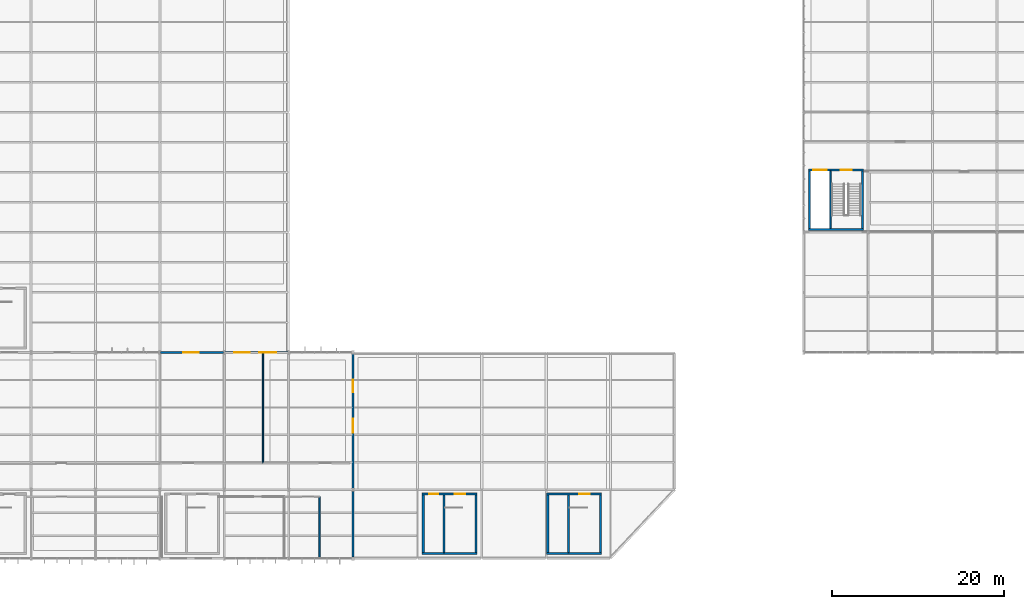
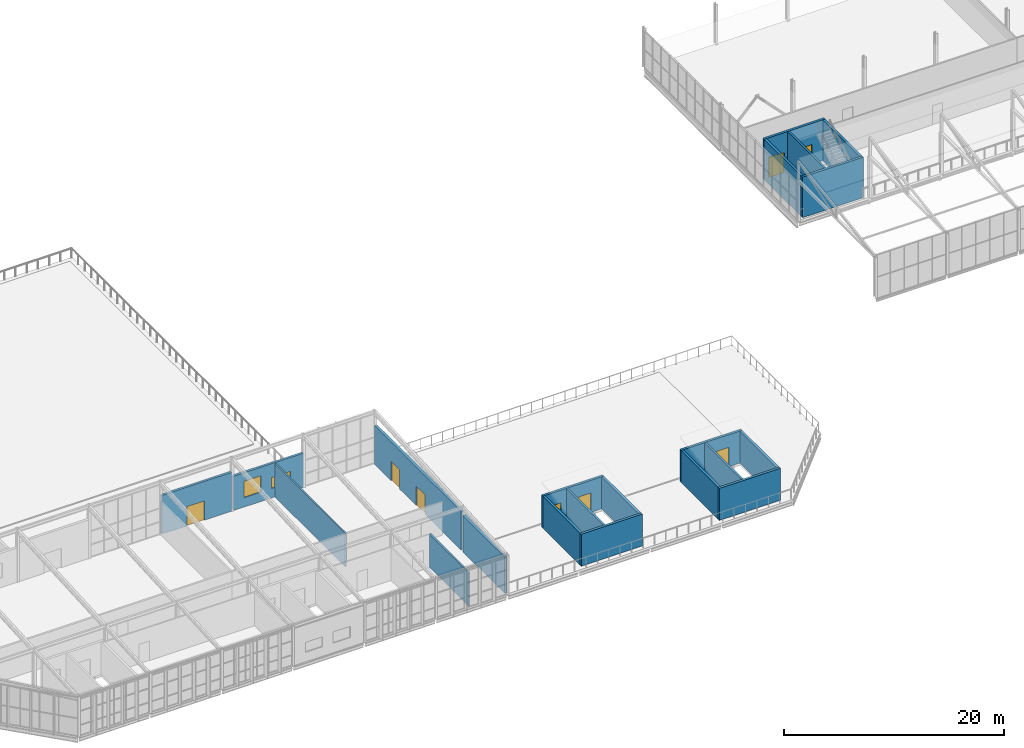
# One storey, part 96 of 104: 21 walls, 8 doors, 2 windows, 10 openings.
"""IFC4 building model written with IfcOpenShell, lengths in metres."""

from ifc_helpers import new_model, si_unit, direction, frame, frame_2d, origin, place, context, subcontext, project, spatial, rectangle, extrude, material, layer, layer_set, type_object, element, fill, save


model = new_model("IFC4")

# Units and contexts
model_context = context("Model", 3, precision=1e-05, world=origin(), true_north=direction((0.0, 1.0)))
body_context = subcontext(model_context, "Body", "Model", "MODEL_VIEW")
ifc_project = project(units=[si_unit("LENGTHUNIT", "METRE"), si_unit("AREAUNIT", "SQUARE_METRE"), si_unit("VOLUMEUNIT", "CUBIC_METRE"), si_unit("PLANEANGLEUNIT", "RADIAN"), si_unit("MASSUNIT", "GRAM", prefix="KILO")], contexts=[model_context])

# Site, building, storey
site_placement = place(None, origin())
site = spatial("IfcSite", under=ifc_project, at=site_placement, CompositionType="ELEMENT")
building_placement = place(site_placement, origin())
building = spatial("IfcBuilding", under=site, at=building_placement, Name="Solvenia Promenade Tram Depot", CompositionType="ELEMENT")
storey_placement = place(building_placement, frame((0.0, 0.0, 9.0)))
storey = spatial("IfcBuildingStorey", under=building, at=storey_placement, Name="L02", CompositionType="ELEMENT", Elevation=9.0)

# Wall
ifc_material_1 = material(Name="Concrete C28/35", Category="concrete")
ifc_layer_1 = layer(ifc_material_1, 0.25, Name="Concrete C28/35", Category="concrete")
ifc_layer_set_1 = layer_set([ifc_layer_1], Name="Concrete C28/35")
wall_type_1 = type_object("IfcWallType", Name="Wall-Core-250", PredefinedType="SHEAR", material=ifc_layer_set_1)
wall_1_placement = place(storey_placement, frame((60.550048828125, 0.574951171875, 0.0), z_axis=(0.0, 0.0, 1.0), x_axis=(1.0, 0.0, 0.0)))
element("IfcWall", 1, at=wall_1_placement, inside=storey, type_object=wall_type_1, Name="Core C3 Shear Wall WC-C3-L02-S", PredefinedType="SHEAR", context=body_context, shape_type="SweptSolid", body=[
    extrude(rectangle(XDim=6.39990234375, YDim=0.25, at=frame_2d((3.199951171875, 0.0))), origin(), (0.0, 0.0, 1.0), 3.550048828125),
])

# Wall, openings, doors
wall_2_placement = place(storey_placement, frame((60.550048828125, 7.52490234375, 0.0), z_axis=(0.0, 0.0, 1.0), x_axis=(1.0, 0.0, 0.0)))
wall_2 = element("IfcWall", 2, at=wall_2_placement, inside=storey, type_object=wall_type_1, Name="Core C3 Shear Wall WC-C3-L02-N", PredefinedType="SHEAR", context=body_context, shape_type="SweptSolid", body=[
    extrude(rectangle(XDim=6.39990234375, YDim=0.25, at=frame_2d((3.199951171875, 0.0))), origin(), (0.0, 0.0, 1.0), 3.550048828125),
])
opening_1_placement = place(wall_2_placement, frame((0.800048828125, 0.0, 0.0)))
opening_1 = element("IfcOpeningElement", 3, at=opening_1_placement, cuts=wall_2, Name="Opening LD-03", PredefinedType="OPENING", context=body_context, shape_type="SweptSolid", body=[
    extrude(rectangle(XDim=1.10009765625, YDim=2.14990234375, at=frame_2d((0.550048828125, 1.074951171875))), frame((0.0, 0.135009765625, 0.0), z_axis=(0.0, -1.0, 0.0), x_axis=(1.0, 0.0, 0.0)), (0.0, 0.0, 1.0), 0.27001953125),
])
opening_2_placement = place(wall_2_placement, frame((3.77490234375, 0.0, 0.0)))
opening_2 = element("IfcOpeningElement", 4, at=opening_2_placement, cuts=wall_2, Name="Opening D-FD90", PredefinedType="OPENING", context=body_context, shape_type="SweptSolid", body=[
    extrude(rectangle(XDim=1.25, YDim=2.14990234375, at=frame_2d((0.625, 1.074951171875))), frame((0.0, 0.135009765625, 0.0), z_axis=(0.0, -1.0, 0.0), x_axis=(1.0, 0.0, 0.0)), (0.0, 0.0, 1.0), 0.27001953125),
])
ifc_material_2 = material(Name="Galvanized painted sheet steel", Category="steel")
door_type_1 = type_object("IfcDoorType", Name="Door-Lift-Pass-1100", OperationType="DOUBLE_DOOR_SLIDING", PredefinedType="DOOR", material=ifc_material_2)
door_1_placement = place(opening_1_placement, origin())
door_1 = element("IfcDoor", 5, at=door_1_placement, inside=storey, type_object=door_type_1, Name="Lift Landing Door LF-03 L02", OperationType="DOUBLE_DOOR_SLIDING", OverallHeight=2.14990234375, OverallWidth=1.10009765625, PredefinedType="DOOR", context=body_context, shape_type="SweptSolid", body=[
    extrude(rectangle(XDim=1.10009765625, YDim=2.14990234375, at=frame_2d((0.550048828125, 1.074951171875))), frame((0.0, 0.02490234375, 0.0), z_axis=(0.0, -1.0, 0.0), x_axis=(1.0, 0.0, 0.0)), (0.0, 0.0, 1.0), 0.050048828125),
])
fill(opening_1, door_1)
door_type_2 = type_object("IfcDoorType", Name="Door-Stair-FD90", OperationType="NOTDEFINED", PredefinedType="DOOR", material=ifc_material_2)
door_2_placement = place(opening_2_placement, origin())
door_2 = element("IfcDoor", 6, at=door_2_placement, inside=storey, type_object=door_type_2, Name="Exit Stair Door C3 L02", OperationType="SINGLE_SWING_LEFT", OverallHeight=2.14990234375, OverallWidth=1.25, PredefinedType="DOOR", context=body_context, shape_type="SweptSolid", body=[
    extrude(rectangle(XDim=1.25, YDim=2.14990234375, at=frame_2d((0.625, 1.074951171875))), frame((0.0, 0.02490234375, 0.0), z_axis=(0.0, -1.0, 0.0), x_axis=(1.0, 0.0, 0.0)), (0.0, 0.0, 1.0), 0.050048828125),
])
fill(opening_2, door_2)

# Walls
for number, where, z_axis, x_axis, name in (
    (7, (60.675048828125, 0.699951171875, 0.0), (0.0, 0.0, 1.0), (0.0, 1.0, 0.0), "Core C3 Shear Wall WC-C3-L02-W"),
    (8, (66.824951171875, 0.699951171875, 0.0), (0.0, 0.0, 1.0), (0.0, 1.0, 0.0), "Core C3 Shear Wall WC-C3-L02-E"),
):
    element("IfcWall", number, at=place(storey_placement, frame(where, z_axis=z_axis, x_axis=x_axis)), inside=storey, type_object=wall_type_1, Name=name, PredefinedType="SHEAR", context=body_context, shape_type="SweptSolid", body=[
        extrude(rectangle(XDim=6.699951171875, YDim=0.25, at=frame_2d((3.35009765625, 0.0))), origin(), (0.0, 0.0, 1.0), 3.550048828125),
    ])
wall_3_placement = place(storey_placement, frame((75.050048828125, 0.574951171875, 0.0), z_axis=(0.0, 0.0, 1.0), x_axis=(1.0, 0.0, 0.0)))
element("IfcWall", 9, at=wall_3_placement, inside=storey, type_object=wall_type_1, Name="Core C4 Shear Wall WC-C4-L02-S", PredefinedType="SHEAR", context=body_context, shape_type="SweptSolid", body=[
    extrude(rectangle(XDim=6.39990234375, YDim=0.25, at=frame_2d((3.199951171875, 0.0))), origin(), (0.0, 0.0, 1.0), 3.550048828125),
])

# Wall, opening, door
wall_4_placement = place(storey_placement, frame((75.050048828125, 7.52490234375, 0.0), z_axis=(0.0, 0.0, 1.0), x_axis=(1.0, 0.0, 0.0)))
wall_4 = element("IfcWall", 10, at=wall_4_placement, inside=storey, type_object=wall_type_1, Name="Core C4 Shear Wall WC-C4-L02-N", PredefinedType="SHEAR", context=body_context, shape_type="SweptSolid", body=[
    extrude(rectangle(XDim=6.39990234375, YDim=0.25, at=frame_2d((3.199951171875, 0.0))), origin(), (0.0, 0.0, 1.0), 3.550048828125),
])
opening_3_placement = place(wall_4_placement, frame((3.77490234375, 0.0, 0.0)))
opening_3 = element("IfcOpeningElement", 11, at=opening_3_placement, cuts=wall_4, Name="Opening D-FD90", PredefinedType="OPENING", context=body_context, shape_type="SweptSolid", body=[
    extrude(rectangle(XDim=1.25, YDim=2.14990234375, at=frame_2d((0.625, 1.074951171875))), frame((0.0, 0.135009765625, 0.0), z_axis=(0.0, -1.0, 0.0), x_axis=(1.0, 0.0, 0.0)), (0.0, 0.0, 1.0), 0.27001953125),
])
door_3_placement = place(opening_3_placement, origin())
door_3 = element("IfcDoor", 12, at=door_3_placement, inside=storey, type_object=door_type_2, Name="Exit Stair Door C4 L02", OperationType="SINGLE_SWING_RIGHT", OverallHeight=2.14990234375, OverallWidth=1.25, PredefinedType="DOOR", context=body_context, shape_type="SweptSolid", body=[
    extrude(rectangle(XDim=1.25, YDim=2.14990234375, at=frame_2d((0.625, 1.074951171875))), frame((0.0, 0.02490234375, 0.0), z_axis=(0.0, -1.0, 0.0), x_axis=(1.0, 0.0, 0.0)), (0.0, 0.0, 1.0), 0.050048828125),
])
fill(opening_3, door_3)

# Walls
for number, where, z_axis, x_axis, name in (
    (13, (75.175048828125, 0.699951171875, 0.0), (0.0, 0.0, 1.0), (0.0, 1.0, 0.0), "Core C4 Shear Wall WC-C4-L02-W"),
    (14, (81.324951171875, 0.699951171875, 0.0), (0.0, 0.0, 1.0), (0.0, 1.0, 0.0), "Core C4 Shear Wall WC-C4-L02-E"),
):
    element("IfcWall", number, at=place(storey_placement, frame(where, z_axis=z_axis, x_axis=x_axis)), inside=storey, type_object=wall_type_1, Name=name, PredefinedType="SHEAR", context=body_context, shape_type="SweptSolid", body=[
        extrude(rectangle(XDim=6.699951171875, YDim=0.25, at=frame_2d((3.35009765625, 0.0))), origin(), (0.0, 0.0, 1.0), 3.550048828125),
    ])
wall_5_placement = place(storey_placement, frame((105.550048828125, 38.324951171875, 0.0), z_axis=(0.0, 0.0, 1.0), x_axis=(1.0, 0.0, 0.0)))
element("IfcWall", 15, at=wall_5_placement, inside=storey, type_object=wall_type_1, Name="Core C5 Shear Wall WC-C5-L02-S", PredefinedType="SHEAR", context=body_context, shape_type="SweptSolid", body=[
    extrude(rectangle(XDim=6.39990234375, YDim=0.25, at=frame_2d((3.199951171875, 0.0))), origin(), (0.0, 0.0, 1.0), 4.5),
])

# Wall, openings, doors
wall_6_placement = place(storey_placement, frame((105.550048828125, 45.27490234375, 0.0), z_axis=(0.0, 0.0, 1.0), x_axis=(1.0, 0.0, 0.0)))
wall_6 = element("IfcWall", 16, at=wall_6_placement, inside=storey, type_object=wall_type_1, Name="Core C5 Shear Wall WC-C5-L02-N", PredefinedType="SHEAR", context=body_context, shape_type="SweptSolid", body=[
    extrude(rectangle(XDim=6.39990234375, YDim=0.25, at=frame_2d((3.199951171875, 0.0))), origin(), (0.0, 0.0, 1.0), 4.5),
])
opening_4_placement = place(wall_6_placement, frame((0.550048828125, 0.0, 0.0)))
opening_4 = element("IfcOpeningElement", 17, at=opening_4_placement, cuts=wall_6, Name="Opening LD-05", PredefinedType="OPENING", context=body_context, shape_type="SweptSolid", body=[
    extrude(rectangle(XDim=1.60009765625, YDim=2.25, at=frame_2d((0.800048828125, 1.125))), frame((0.0, 0.135009765625, 0.0), z_axis=(0.0, -1.0, 0.0), x_axis=(1.0, 0.0, 0.0)), (0.0, 0.0, 1.0), 0.27001953125),
])
opening_5_placement = place(wall_6_placement, frame((3.77490234375, 0.0, 0.0)))
opening_5 = element("IfcOpeningElement", 18, at=opening_5_placement, cuts=wall_6, Name="Opening D-FD90", PredefinedType="OPENING", context=body_context, shape_type="SweptSolid", body=[
    extrude(rectangle(XDim=1.25, YDim=2.14990234375, at=frame_2d((0.625, 1.074951171875))), frame((0.0, 0.135009765625, 0.0), z_axis=(0.0, -1.0, 0.0), x_axis=(1.0, 0.0, 0.0)), (0.0, 0.0, 1.0), 0.27001953125),
])
door_type_3 = type_object("IfcDoorType", Name="Door-Lift-Goods-1600", OperationType="DOUBLE_DOOR_SLIDING", PredefinedType="DOOR", material=ifc_material_2)
door_4_placement = place(opening_4_placement, origin())
door_4 = element("IfcDoor", 19, at=door_4_placement, inside=storey, type_object=door_type_3, Name="Lift Landing Door LG-01 L02", OperationType="DOUBLE_DOOR_SLIDING", OverallHeight=2.25, OverallWidth=1.60009765625, PredefinedType="DOOR", context=body_context, shape_type="SweptSolid", body=[
    extrude(rectangle(XDim=1.60009765625, YDim=2.25, at=frame_2d((0.800048828125, 1.125))), frame((0.0, 0.02490234375, 0.0), z_axis=(0.0, -1.0, 0.0), x_axis=(1.0, 0.0, 0.0)), (0.0, 0.0, 1.0), 0.050048828125),
])
fill(opening_4, door_4)
door_5_placement = place(opening_5_placement, frame((1.25, 0.0, 0.0), z_axis=(0.0, 0.0, 1.0), x_axis=(-1.0, 0.0, 0.0)))
door_5 = element("IfcDoor", 20, at=door_5_placement, inside=storey, type_object=door_type_2, Name="Exit Stair Door C5 L02", OperationType="SINGLE_SWING_LEFT", OverallHeight=2.14990234375, OverallWidth=1.25, PredefinedType="DOOR", context=body_context, shape_type="SweptSolid", body=[
    extrude(rectangle(XDim=1.25, YDim=2.14990234375, at=frame_2d((0.625, 1.074951171875))), frame((0.0, 0.02490234375, 0.0), z_axis=(0.0, -1.0, 0.0), x_axis=(1.0, 0.0, 0.0)), (0.0, 0.0, 1.0), 0.050048828125),
])
fill(opening_5, door_5)

# Walls
for number, where, z_axis, x_axis, name in (
    (21, (105.675048828125, 38.449951171875, 0.0), (0.0, 0.0, 1.0), (0.0, 1.0, 0.0), "Core C5 Shear Wall WC-C5-L02-W"),
    (22, (111.824951171875, 38.449951171875, 0.0), (0.0, 0.0, 1.0), (0.0, 1.0, 0.0), "Core C5 Shear Wall WC-C5-L02-E"),
):
    element("IfcWall", number, at=place(storey_placement, frame(where, z_axis=z_axis, x_axis=x_axis)), inside=storey, type_object=wall_type_1, Name=name, PredefinedType="SHEAR", context=body_context, shape_type="SweptSolid", body=[
        extrude(rectangle(XDim=6.699951171875, YDim=0.25, at=frame_2d((3.35009765625, 0.0))), origin(), (0.0, 0.0, 1.0), 4.5),
    ])
ifc_material_3 = material(Name="Concrete blockwork masonry", Category="masonry")
ifc_layer_2 = layer(ifc_material_3, 0.14501953125, Name="Concrete blockwork masonry", Category="masonry")
ifc_layer_set_2 = layer_set([ifc_layer_2], Name="Concrete blockwork masonry")
wall_type_2 = type_object("IfcWallType", Name="Wall-Masonry-145", PredefinedType="PARTITIONING", material=ifc_layer_set_2)
wall_7_placement = place(storey_placement, frame((42.0, 11.10009765625, 0.0), z_axis=(0.0, 0.0, 1.0), x_axis=(0.0, 1.0, 0.0)))
element("IfcWall", 23, at=wall_7_placement, inside=storey, type_object=wall_type_2, Name="Commercial Kitchen Dividing Wall WP-L02-113", PredefinedType="PARTITIONING", context=body_context, shape_type="SweptSolid", body=[
    extrude(rectangle(XDim=12.81982421875, YDim=0.14501953125, at=frame_2d((6.409912109375, 0.0))), origin(), (0.0, 0.0, 1.0), 3.699951171875),
])
ifc_layer_3 = layer(ifc_material_3, 0.175048828125, Name="Concrete blockwork masonry", Category="masonry")
ifc_layer_set_3 = layer_set([ifc_layer_3], Name="Concrete blockwork masonry")
wall_type_3 = type_object("IfcWallType", Name="Wall-Masonry-175", PredefinedType="PARTITIONING", material=ifc_layer_set_3)
wall_8_placement = place(storey_placement, frame((48.60009765625, 0.080078125, 0.0), z_axis=(0.0, 0.0, 1.0), x_axis=(0.0, 1.0, 0.0)))
element("IfcWall", 24, at=wall_8_placement, inside=storey, type_object=wall_type_3, Name="Second Floor Accessible WC Dividing Wall WP-L02-109", PredefinedType="PARTITIONING", context=body_context, shape_type="SweptSolid", body=[
    extrude(rectangle(XDim=7.119873046875, YDim=0.175048828125, at=frame_2d((3.56005859375, 0.0))), origin(), (0.0, 0.0, 1.0), 3.699951171875),
])
ifc_layer_4 = layer(ifc_material_1, 0.199951171875, Name="Concrete C28/35", Category="concrete")
ifc_layer_set_4 = layer_set([ifc_layer_4], Name="Concrete C28/35")
wall_type_4 = type_object("IfcWallType", Name="Wall-Shaft-200", PredefinedType="SHEAR", material=ifc_layer_set_4)
for number, where, z_axis, x_axis, name in (
    (25, (63.10009765625, 0.699951171875, 0.0), (0.0, 0.0, 1.0), (0.0, 1.0, 0.0), "Core C3 Shear Wall WC-C3-L02-DIV"),
    (26, (77.60009765625, 0.699951171875, 0.0), (0.0, 0.0, 1.0), (0.0, 1.0, 0.0), "Core C4 Shear Wall WC-C4-L02-DIV"),
):
    element("IfcWall", number, at=place(storey_placement, frame(where, z_axis=z_axis, x_axis=x_axis)), inside=storey, type_object=wall_type_4, Name=name, PredefinedType="SHEAR", context=body_context, shape_type="SweptSolid", body=[
        extrude(rectangle(XDim=6.699951171875, YDim=0.199951171875, at=frame_2d((3.35009765625, 0.0))), origin(), (0.0, 0.0, 1.0), 3.550048828125),
    ])
wall_9_placement = place(storey_placement, frame((108.10009765625, 38.449951171875, 0.0), z_axis=(0.0, 0.0, 1.0), x_axis=(0.0, 1.0, 0.0)))
element("IfcWall", 27, at=wall_9_placement, inside=storey, type_object=wall_type_4, Name="Core C5 Shear Wall WC-C5-L02-DIV", PredefinedType="SHEAR", context=body_context, shape_type="SweptSolid", body=[
    extrude(rectangle(XDim=6.699951171875, YDim=0.199951171875, at=frame_2d((3.35009765625, 0.0))), origin(), (0.0, 0.0, 1.0), 4.5),
])

# Wall, opening, door
ifc_material_4 = material(Name="Concrete C35/45", Category="concrete")
ifc_layer_5 = layer(ifc_material_4, 0.239990234375, Name="Concrete C35/45", Category="concrete")
ifc_layer_set_5 = layer_set([ifc_layer_5], Name="Concrete C35/45")
wall_type_5 = type_object("IfcWallType", Name="Wall-Spandrel-240", PredefinedType="SOLIDWALL", material=ifc_layer_set_5)
wall_10_placement = place(storey_placement, frame((30.080078125, 24.0, 0.0), z_axis=(0.0, 0.0, 1.0), x_axis=(1.0, 0.0, 0.0)))
wall_10 = element("IfcWall", 28, at=wall_10_placement, inside=storey, type_object=wall_type_5, Name="Canteen Garden Terrace Wall EW-L02-087", PredefinedType="SOLIDWALL", context=body_context, shape_type="SweptSolid", body=[
    extrude(rectangle(XDim=7.33984375, YDim=0.239990234375, at=frame_2d((3.669921875, 0.0))), origin(), (0.0, 0.0, 1.0), 4.300048828125),
])
opening_6_placement = place(wall_10_placement, frame((2.64990234375, 0.0, 0.0)))
opening_6 = element("IfcOpeningElement", 29, at=opening_6_placement, cuts=wall_10, Name="Opening TD-01", PredefinedType="OPENING", context=body_context, shape_type="SweptSolid", body=[
    extrude(rectangle(XDim=1.800048828125, YDim=2.14990234375, at=frame_2d((0.89990234375, 1.074951171875))), frame((0.0, 0.1298828125, 0.0), z_axis=(0.0, -1.0, 0.0), x_axis=(1.0, 0.0, 0.0)), (0.0, 0.0, 1.0), 0.260009765625),
])
ifc_material_5 = material(Name="Anodized aluminium AW-6063 T6", Category="aluminium")
door_type_4 = type_object("IfcDoorType", Name="Door-Terr-1800x2150", OperationType="NOTDEFINED", PredefinedType="DOOR", material=ifc_material_5)
door_6_placement = place(opening_6_placement, origin())
door_6 = element("IfcDoor", 30, at=door_6_placement, inside=storey, type_object=door_type_4, Name="SUDS Roof Garden Terrace Door 5", OperationType="SINGLE_SWING_RIGHT", OverallHeight=2.14990234375, OverallWidth=1.800048828125, PredefinedType="DOOR", context=body_context, shape_type="SweptSolid", body=[
    extrude(rectangle(XDim=1.800048828125, YDim=2.14990234375, at=frame_2d((0.89990234375, 1.074951171875))), frame((0.0, 0.02490234375, 0.0), z_axis=(0.0, -1.0, 0.0), x_axis=(1.0, 0.0, 0.0)), (0.0, 0.0, 1.0), 0.050048828125),
])
fill(opening_6, door_6)

# Wall, openings, windows
wall_11_placement = place(storey_placement, frame((37.580078125, 24.0, 0.0), z_axis=(0.0, 0.0, 1.0), x_axis=(1.0, 0.0, 0.0)))
wall_11 = element("IfcWall", 31, at=wall_11_placement, inside=storey, type_object=wall_type_5, Name="L02 Courtyard Pier Wall EW-L02-088", PredefinedType="SOLIDWALL", context=body_context, shape_type="SweptSolid", body=[
    extrude(rectangle(XDim=7.33984375, YDim=0.239990234375, at=frame_2d((3.669921875, 0.0))), origin(), (0.0, 0.0, 1.0), 3.800048828125),
])
opening_7_placement = place(wall_11_placement, frame((1.10009765625, 0.0, 1.050048828125)))
opening_7 = element("IfcOpeningElement", 32, at=opening_7_placement, cuts=wall_11, Name="Opening WN-24", PredefinedType="OPENING", context=body_context, shape_type="SweptSolid", body=[
    extrude(rectangle(XDim=1.800048828125, YDim=1.800048828125, at=frame_2d((0.89990234375, 0.89990234375))), frame((0.0, 0.1298828125, 0.0), z_axis=(0.0, -1.0, 0.0), x_axis=(1.0, 0.0, 0.0)), (0.0, 0.0, 1.0), 0.260009765625),
])
opening_8_placement = place(wall_11_placement, frame((4.0, 0.0, 1.050048828125)))
opening_8 = element("IfcOpeningElement", 33, at=opening_8_placement, cuts=wall_11, Name="Opening WN-25", PredefinedType="OPENING", context=body_context, shape_type="SweptSolid", body=[
    extrude(rectangle(XDim=2.0, YDim=1.199951171875, at=frame_2d((1.0, 0.60009765625))), frame((0.0, 0.1298828125, 0.0), z_axis=(0.0, -1.0, 0.0), x_axis=(1.0, 0.0, 0.0)), (0.0, 0.0, 1.0), 0.260009765625),
])
ifc_material_6 = material(Name="Double low-e argon insulated glass", Category="glass")
window_type_1 = type_object("IfcWindowType", Name="Win-1800x1800", PartitioningType="DOUBLE_PANEL_VERTICAL", PredefinedType="WINDOW", material=ifc_material_6)
window_1_placement = place(opening_7_placement, origin())
window_1 = element("IfcWindow", 34, at=window_1_placement, inside=storey, type_object=window_type_1, Name="L02 Courtyard Window 024", OverallHeight=1.800048828125, OverallWidth=1.800048828125, PartitioningType="SINGLE_PANEL", PredefinedType="WINDOW", context=body_context, shape_type="SweptSolid", body=[
    extrude(rectangle(XDim=1.800048828125, YDim=1.800048828125, at=frame_2d((0.89990234375, 0.89990234375))), frame((0.0, 0.030029296875, 0.0), z_axis=(0.0, -1.0, 0.0), x_axis=(1.0, 0.0, 0.0)), (0.0, 0.0, 1.0), 0.06005859375),
])
fill(opening_7, window_1)
window_type_2 = type_object("IfcWindowType", Name="Win-2000x1200", PartitioningType="DOUBLE_PANEL_VERTICAL", PredefinedType="WINDOW", material=ifc_material_6)
window_2_placement = place(opening_8_placement, origin())
window_2 = element("IfcWindow", 35, at=window_2_placement, inside=storey, type_object=window_type_2, Name="L02 Courtyard Window 025", OverallHeight=1.199951171875, OverallWidth=2.0, PartitioningType="SINGLE_PANEL", PredefinedType="WINDOW", context=body_context, shape_type="SweptSolid", body=[
    extrude(rectangle(XDim=2.0, YDim=1.199951171875, at=frame_2d((1.0, 0.60009765625))), frame((0.0, 0.030029296875, 0.0), z_axis=(0.0, -1.0, 0.0), x_axis=(1.0, 0.0, 0.0)), (0.0, 0.0, 1.0), 0.06005859375),
])
fill(opening_8, window_2)

# Wall
ifc_layer_6 = layer(ifc_material_4, 0.264892578125, Name="Concrete C35/45", Category="concrete")
ifc_layer_set_6 = layer_set([ifc_layer_6], Name="Concrete C35/45")
wall_type_6 = type_object("IfcWallType", Name="Wall-Spandrel-265", PredefinedType="SOLIDWALL", material=ifc_layer_set_6)
wall_12_placement = place(storey_placement, frame((52.5, 0.199951171875, 0.0), z_axis=(0.0, 0.0, 1.0), x_axis=(0.0, 1.0, 0.0)))
element("IfcWall", 36, at=wall_12_placement, inside=storey, type_object=wall_type_6, Name="L02 East Terrace South Wall EW-L02-089", PredefinedType="SOLIDWALL", context=body_context, shape_type="SweptSolid", body=[
    extrude(rectangle(XDim=7.60009765625, YDim=0.264892578125, at=frame_2d((3.800048828125, 0.0))), origin(), (0.0, 0.0, 1.0), 4.034912109375),
])

# Wall, openings, doors
wall_13_placement = place(storey_placement, frame((52.5, 8.14990234375, 0.0), z_axis=(0.0, 0.0, 1.0), x_axis=(0.0, 1.0, 0.0)))
wall_13 = element("IfcWall", 37, at=wall_13_placement, inside=storey, type_object=wall_type_6, Name="L02 East Terrace Access Wall EW-L02-090", PredefinedType="SOLIDWALL", context=body_context, shape_type="SweptSolid", body=[
    extrude(rectangle(XDim=15.7001953125, YDim=0.264892578125, at=frame_2d((7.85009765625, 0.0))), origin(), (0.0, 0.0, 1.0), 4.300048828125),
])
opening_9_placement = place(wall_13_placement, frame((6.5, 0.0, 0.0)))
opening_9 = element("IfcOpeningElement", 38, at=opening_9_placement, cuts=wall_13, Name="Opening TD-02", PredefinedType="OPENING", context=body_context, shape_type="SweptSolid", body=[
    extrude(rectangle(XDim=1.64990234375, YDim=2.14990234375, at=frame_2d((0.824951171875, 1.074951171875))), frame((0.0, 0.142333984375, 0.0), z_axis=(0.0, -1.0, 0.0), x_axis=(1.0, 0.0, 0.0)), (0.0, 0.0, 1.0), 0.284912109375),
])
opening_10_placement = place(wall_13_placement, frame((11.199951171875, 0.0, 0.0)))
opening_10 = element("IfcOpeningElement", 39, at=opening_10_placement, cuts=wall_13, Name="Opening TD-04", PredefinedType="OPENING", context=body_context, shape_type="SweptSolid", body=[
    extrude(rectangle(XDim=1.5, YDim=2.14990234375, at=frame_2d((0.75, 1.074951171875))), frame((0.0, 0.142333984375, 0.0), z_axis=(0.0, -1.0, 0.0), x_axis=(1.0, 0.0, 0.0)), (0.0, 0.0, 1.0), 0.284912109375),
])
door_type_5 = type_object("IfcDoorType", Name="Door-Terr-1500x2150", OperationType="NOTDEFINED", PredefinedType="DOOR", material=ifc_material_5)
door_7_placement = place(opening_10_placement, frame((1.5, 0.0, 0.0), z_axis=(0.0, 0.0, 1.0), x_axis=(-1.0, 0.0, 0.0)))
door_7 = element("IfcDoor", 40, at=door_7_placement, inside=storey, type_object=door_type_5, Name="Classroom Terrace Secondary Door", OperationType="SINGLE_SWING_LEFT", OverallHeight=2.14990234375, OverallWidth=1.5, PredefinedType="DOOR", context=body_context, shape_type="SweptSolid", body=[
    extrude(rectangle(XDim=1.5, YDim=2.14990234375, at=frame_2d((0.75, 1.074951171875))), frame((0.0, 0.02490234375, 0.0), z_axis=(0.0, -1.0, 0.0), x_axis=(1.0, 0.0, 0.0)), (0.0, 0.0, 1.0), 0.050048828125),
])
fill(opening_10, door_7)
door_type_6 = type_object("IfcDoorType", Name="Door-Terr-1650x2150", OperationType="NOTDEFINED", PredefinedType="DOOR", material=ifc_material_5)
door_8_placement = place(opening_9_placement, frame((1.64990234375, 0.0, 0.0), z_axis=(0.0, 0.0, 1.0), x_axis=(-1.0, 0.0, 0.0)))
door_8 = element("IfcDoor", 41, at=door_8_placement, inside=storey, type_object=door_type_6, Name="South Promenade Public Terrace Door", OperationType="SINGLE_SWING_RIGHT", OverallHeight=2.14990234375, OverallWidth=1.64990234375, PredefinedType="DOOR", context=body_context, shape_type="SweptSolid", body=[
    extrude(rectangle(XDim=1.64990234375, YDim=2.14990234375, at=frame_2d((0.824951171875, 1.074951171875))), frame((0.0, 0.02490234375, 0.0), z_axis=(0.0, -1.0, 0.0), x_axis=(1.0, 0.0, 0.0)), (0.0, 0.0, 1.0), 0.050048828125),
])
fill(opening_9, door_8)

save(model, "model.ifc")
